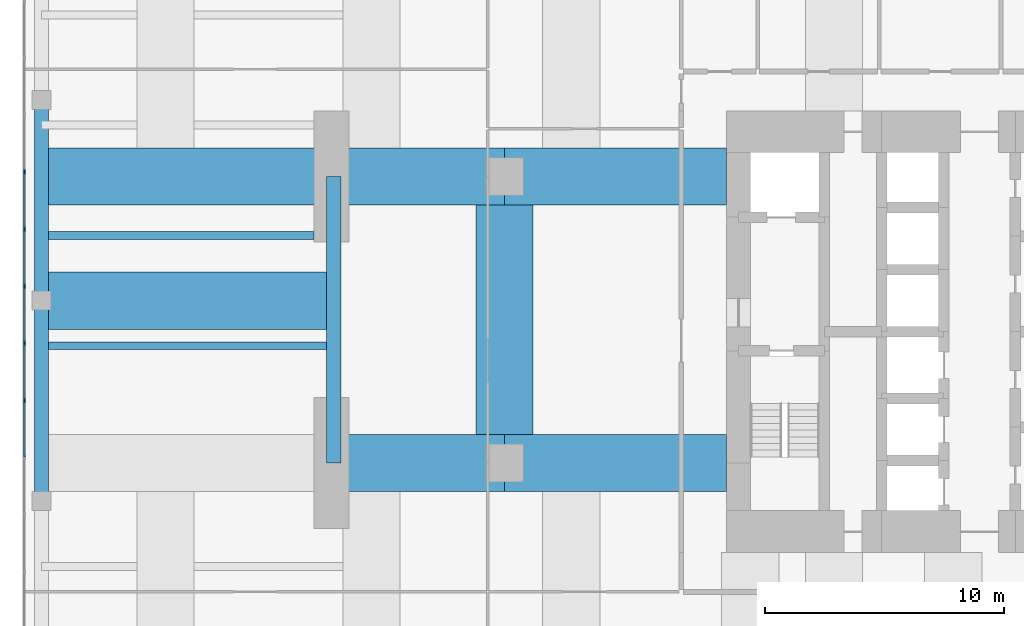
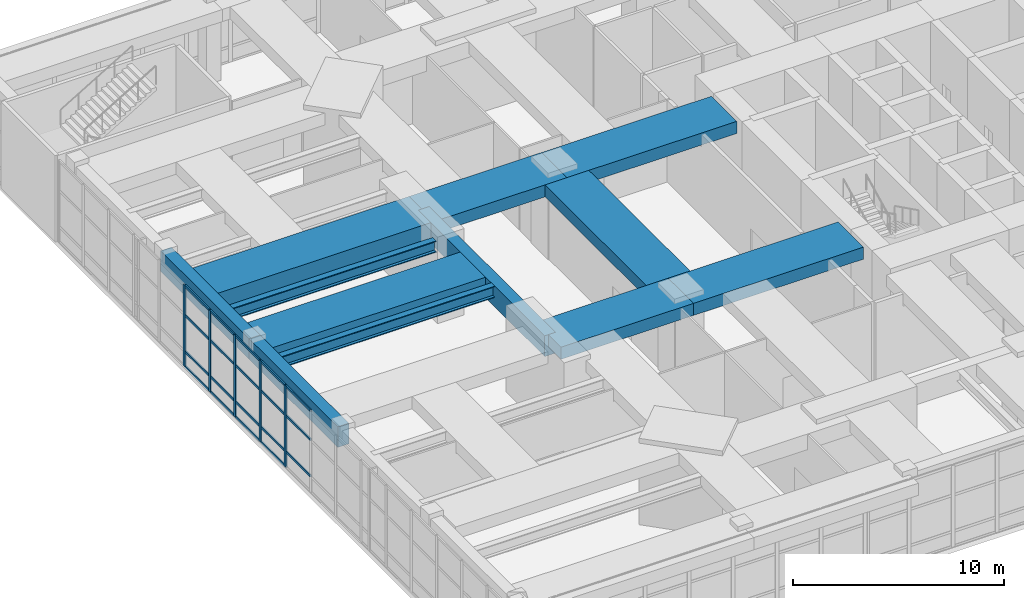
# One storey, part 4 of 24: 24 members, 12 beams, 1 element without a shape of its own.
"""IFC4 building model written with IfcOpenShell, lengths in metres."""

from ifc_helpers import new_model, si_unit, direction, frame, origin, origin_2d, place, context, subcontext, project, spatial, rectangle, i_section, extrude, material, material_profile, profile_set, type_object, element, aggregate, save


model = new_model("IFC4")

# Units and contexts
model_context = context("Model", 3, precision=1e-05, world=origin(), true_north=direction((0.0, 1.0)))
body_context = subcontext(model_context, "Body", "Model", "MODEL_VIEW")
ifc_project = project(units=[si_unit("LENGTHUNIT", "METRE"), si_unit("AREAUNIT", "SQUARE_METRE"), si_unit("VOLUMEUNIT", "CUBIC_METRE"), si_unit("PLANEANGLEUNIT", "RADIAN"), si_unit("MASSUNIT", "GRAM", prefix="KILO")], contexts=[model_context])

# Site, building, storey
site_placement = place(None, origin())
site = spatial("IfcSite", under=ifc_project, at=site_placement, CompositionType="ELEMENT")
building_placement = place(site_placement, origin())
building = spatial("IfcBuilding", under=site, at=building_placement, Name="Jalousie Tower", CompositionType="ELEMENT")
storey_placement = place(building_placement, frame((0.0, 0.0, 11.0)))
storey = spatial("IfcBuildingStorey", under=building, at=storey_placement, Name="L02", CompositionType="ELEMENT", Elevation=11.0)

# Beams
ifc_material_1 = material(Name="Steel ASTM A992 Grade 50", Category="steel")
ifc_material_profile_1 = material_profile(ifc_material_1, i_section(OverallWidth=0.332763671875, OverallDepth=0.660400390625, WebThickness=0.0244140625, FlangeThickness=0.0439453125, at=origin_2d()), Name="W24X229")
ifc_profile_set_1 = profile_set([ifc_material_profile_1], Name="Steel ASTM A992 Grade 50")
beam_type_1 = type_object("IfcBeamType", Name="PLANT FLOOR BEAM W24X229", PredefinedType="BEAM", material=ifc_profile_set_1)
beam_1_placement = place(storey_placement, frame((-8.89990234375, 17.9111328125, 4.389892578125), z_axis=(1.0, 0.0, 0.0), x_axis=(0.0, 1.0, 0.0)))
element("IfcBeam", 1, at=beam_1_placement, inside=storey, type_object=beam_type_1, Name="Plant floor beam under Mechanical plant room L03", PredefinedType="BEAM", context=body_context, shape_type="SweptSolid", body=[
    extrude(i_section(OverallWidth=0.332763671875, OverallDepth=0.660400390625, WebThickness=0.0244140625, FlangeThickness=0.0439453125, at=origin_2d()), origin(), (0.0, 0.0, 1.0), 11.64990234375),
])
beam_2_placement = place(storey_placement, frame((-8.89990234375, 22.533203125, 4.389892578125), z_axis=(1.0, 0.0, 0.0), x_axis=(0.0, 1.0, 0.0)))
element("IfcBeam", 2, at=beam_2_placement, inside=storey, type_object=beam_type_1, Name="Plant floor beam under Mechanical plant room L03", PredefinedType="BEAM", context=body_context, shape_type="SweptSolid", body=[
    extrude(i_section(OverallWidth=0.332763671875, OverallDepth=0.660400390625, WebThickness=0.0244140625, FlangeThickness=0.0439453125, at=origin_2d()), origin(), (0.0, 0.0, 1.0), 11.125),
])

# Curtain wall, members
ifc_material_2 = material(Name="Aluminium curtain wall", Category="aluminium")
curtain_wall_type = type_object("IfcCurtainWallType", Name="PODIUM WINDOW WALL", PredefinedType="USERDEFINED", material=ifc_material_2)
curtain_wall_placement = place(storey_placement, origin())
curtain_wall = element("IfcCurtainWall", 3, at=curtain_wall_placement, inside=storey, type_object=curtain_wall_type, Name="Podium Window Wall L02 33", ObjectType="PODIUM WINDOW WALL", PredefinedType="USERDEFINED")
ifc_material_3 = material(Name="Aluminium mullion", Category="aluminium")
ifc_material_profile_2 = material_profile(ifc_material_3, rectangle(XDim=0.070068359375, YDim=0.199951171875, at=origin_2d()), Name="MULLION 70x200")
ifc_profile_set_2 = profile_set([ifc_material_profile_2], Name="Aluminium mullion")
member_type_1 = type_object("IfcMemberType", Name="PODIUM WINDOW WALL MULLION", PredefinedType="MULLION", material=ifc_profile_set_2)
member_1_placement = place(storey_placement, frame((-9.91259765625, 25.188232421875, 0.0), z_axis=(0.0, 0.0, 1.0), x_axis=(1.0, 0.0, 0.0)))
member_1 = element("IfcMember", 4, at=member_1_placement, type_object=member_type_1, Name="CW-P mullion 6", PredefinedType="MULLION", context=body_context, shape_type="SweptSolid", body=[
    extrude(rectangle(XDim=0.070068359375, YDim=0.199951171875, at=origin_2d()), origin(), (0.0, 0.0, 1.0), 4.719970703125),
])
member_2_placement = place(storey_placement, frame((-9.91259765625, 22.7958984375, 0.0), z_axis=(0.0, 0.0, 1.0), x_axis=(1.0, 0.0, 0.0)))
member_2 = element("IfcMember", 5, at=member_2_placement, type_object=member_type_1, Name="CW-P mullion 7", PredefinedType="MULLION", context=body_context, shape_type="SweptSolid", body=[
    extrude(rectangle(XDim=0.070068359375, YDim=0.199951171875, at=origin_2d()), origin(), (0.0, 0.0, 1.0), 4.719970703125),
])
member_3_placement = place(storey_placement, frame((-9.91259765625, 20.403564453125, 0.0), z_axis=(0.0, 0.0, 1.0), x_axis=(1.0, 0.0, 0.0)))
member_3 = element("IfcMember", 6, at=member_3_placement, type_object=member_type_1, Name="CW-P mullion 8", PredefinedType="MULLION", context=body_context, shape_type="SweptSolid", body=[
    extrude(rectangle(XDim=0.070068359375, YDim=0.199951171875, at=origin_2d()), origin(), (0.0, 0.0, 1.0), 4.719970703125),
])
member_4_placement = place(storey_placement, frame((-9.91259765625, 18.01123046875, 0.0), z_axis=(0.0, 0.0, 1.0), x_axis=(1.0, 0.0, 0.0)))
member_4 = element("IfcMember", 7, at=member_4_placement, type_object=member_type_1, Name="CW-P mullion 9", PredefinedType="MULLION", context=body_context, shape_type="SweptSolid", body=[
    extrude(rectangle(XDim=0.070068359375, YDim=0.199951171875, at=origin_2d()), origin(), (0.0, 0.0, 1.0), 4.719970703125),
])
member_5_placement = place(storey_placement, frame((-9.91259765625, 15.61865234375, 0.0), z_axis=(0.0, 0.0, 1.0), x_axis=(1.0, 0.0, 0.0)))
member_5 = element("IfcMember", 8, at=member_5_placement, type_object=member_type_1, Name="CW-P mullion 10", PredefinedType="MULLION", context=body_context, shape_type="SweptSolid", body=[
    extrude(rectangle(XDim=0.070068359375, YDim=0.199951171875, at=origin_2d()), origin(), (0.0, 0.0, 1.0), 4.719970703125),
])
ifc_material_4 = material(Name="Aluminium transom", Category="aluminium")
ifc_material_profile_3 = material_profile(ifc_material_4, rectangle(XDim=0.070068359375, YDim=0.139892578125, at=origin_2d()), Name="TRANSOM 70x140")
ifc_profile_set_3 = profile_set([ifc_material_profile_3], Name="Aluminium transom")
member_type_2 = type_object("IfcMemberType", Name="PODIUM WINDOW WALL TRANSOM", PredefinedType="USERDEFINED", material=ifc_profile_set_3)
member_6_placement = place(storey_placement, frame((-9.91259765625, 25.153076171875, 0.034912109375), z_axis=(0.0, -1.0, 0.0), x_axis=(1.0, 0.0, 0.0)))
member_6 = element("IfcMember", 9, at=member_6_placement, type_object=member_type_2, Name="CW-P transom 6.1", ObjectType="TRANSOM", PredefinedType="USERDEFINED", context=body_context, shape_type="SweptSolid", body=[
    extrude(rectangle(XDim=0.070068359375, YDim=0.139892578125, at=origin_2d()), origin(), (0.0, 0.0, 1.0), 2.322265625),
])
member_7_placement = place(storey_placement, frame((-9.91259765625, 25.153076171875, 0.89990234375), z_axis=(0.0, -1.0, 0.0), x_axis=(1.0, 0.0, 0.0)))
member_7 = element("IfcMember", 10, at=member_7_placement, type_object=member_type_2, Name="CW-P transom 6.2", ObjectType="TRANSOM", PredefinedType="USERDEFINED", context=body_context, shape_type="SweptSolid", body=[
    extrude(rectangle(XDim=0.070068359375, YDim=0.139892578125, at=origin_2d()), origin(), (0.0, 0.0, 1.0), 2.322265625),
])
member_8_placement = place(storey_placement, frame((-9.91259765625, 25.153076171875, 3.0), z_axis=(0.0, -1.0, 0.0), x_axis=(1.0, 0.0, 0.0)))
member_8 = element("IfcMember", 11, at=member_8_placement, type_object=member_type_2, Name="CW-P transom 6.3", ObjectType="TRANSOM", PredefinedType="USERDEFINED", context=body_context, shape_type="SweptSolid", body=[
    extrude(rectangle(XDim=0.070068359375, YDim=0.139892578125, at=origin_2d()), origin(), (0.0, 0.0, 1.0), 2.322265625),
])
member_9_placement = place(storey_placement, frame((-9.91259765625, 25.153076171875, 4.68505859375), z_axis=(0.0, -1.0, 0.0), x_axis=(1.0, 0.0, 0.0)))
member_9 = element("IfcMember", 12, at=member_9_placement, type_object=member_type_2, Name="CW-P transom 6.4", ObjectType="TRANSOM", PredefinedType="USERDEFINED", context=body_context, shape_type="SweptSolid", body=[
    extrude(rectangle(XDim=0.070068359375, YDim=0.139892578125, at=origin_2d()), origin(), (0.0, 0.0, 1.0), 2.322265625),
])
member_10_placement = place(storey_placement, frame((-9.91259765625, 22.7607421875, 0.034912109375), z_axis=(0.0, -1.0, 0.0), x_axis=(1.0, 0.0, 0.0)))
member_10 = element("IfcMember", 13, at=member_10_placement, type_object=member_type_2, Name="CW-P transom 7.1", ObjectType="TRANSOM", PredefinedType="USERDEFINED", context=body_context, shape_type="SweptSolid", body=[
    extrude(rectangle(XDim=0.070068359375, YDim=0.139892578125, at=origin_2d()), origin(), (0.0, 0.0, 1.0), 2.322265625),
])
member_11_placement = place(storey_placement, frame((-9.91259765625, 22.7607421875, 0.89990234375), z_axis=(0.0, -1.0, 0.0), x_axis=(1.0, 0.0, 0.0)))
member_11 = element("IfcMember", 14, at=member_11_placement, type_object=member_type_2, Name="CW-P transom 7.2", ObjectType="TRANSOM", PredefinedType="USERDEFINED", context=body_context, shape_type="SweptSolid", body=[
    extrude(rectangle(XDim=0.070068359375, YDim=0.139892578125, at=origin_2d()), origin(), (0.0, 0.0, 1.0), 2.322265625),
])
member_12_placement = place(storey_placement, frame((-9.91259765625, 22.7607421875, 3.0), z_axis=(0.0, -1.0, 0.0), x_axis=(1.0, 0.0, 0.0)))
member_12 = element("IfcMember", 15, at=member_12_placement, type_object=member_type_2, Name="CW-P transom 7.3", ObjectType="TRANSOM", PredefinedType="USERDEFINED", context=body_context, shape_type="SweptSolid", body=[
    extrude(rectangle(XDim=0.070068359375, YDim=0.139892578125, at=origin_2d()), origin(), (0.0, 0.0, 1.0), 2.322265625),
])
member_13_placement = place(storey_placement, frame((-9.91259765625, 22.7607421875, 4.68505859375), z_axis=(0.0, -1.0, 0.0), x_axis=(1.0, 0.0, 0.0)))
member_13 = element("IfcMember", 16, at=member_13_placement, type_object=member_type_2, Name="CW-P transom 7.4", ObjectType="TRANSOM", PredefinedType="USERDEFINED", context=body_context, shape_type="SweptSolid", body=[
    extrude(rectangle(XDim=0.070068359375, YDim=0.139892578125, at=origin_2d()), origin(), (0.0, 0.0, 1.0), 2.322265625),
])
member_14_placement = place(storey_placement, frame((-9.91259765625, 20.368408203125, 0.034912109375), z_axis=(0.0, -1.0, 0.0), x_axis=(1.0, 0.0, 0.0)))
member_14 = element("IfcMember", 17, at=member_14_placement, type_object=member_type_2, Name="CW-P transom 8.1", ObjectType="TRANSOM", PredefinedType="USERDEFINED", context=body_context, shape_type="SweptSolid", body=[
    extrude(rectangle(XDim=0.070068359375, YDim=0.139892578125, at=origin_2d()), origin(), (0.0, 0.0, 1.0), 2.322265625),
])
member_15_placement = place(storey_placement, frame((-9.91259765625, 20.368408203125, 0.89990234375), z_axis=(0.0, -1.0, 0.0), x_axis=(1.0, 0.0, 0.0)))
member_15 = element("IfcMember", 18, at=member_15_placement, type_object=member_type_2, Name="CW-P transom 8.2", ObjectType="TRANSOM", PredefinedType="USERDEFINED", context=body_context, shape_type="SweptSolid", body=[
    extrude(rectangle(XDim=0.070068359375, YDim=0.139892578125, at=origin_2d()), origin(), (0.0, 0.0, 1.0), 2.322265625),
])
member_16_placement = place(storey_placement, frame((-9.91259765625, 20.368408203125, 3.0), z_axis=(0.0, -1.0, 0.0), x_axis=(1.0, 0.0, 0.0)))
member_16 = element("IfcMember", 19, at=member_16_placement, type_object=member_type_2, Name="CW-P transom 8.3", ObjectType="TRANSOM", PredefinedType="USERDEFINED", context=body_context, shape_type="SweptSolid", body=[
    extrude(rectangle(XDim=0.070068359375, YDim=0.139892578125, at=origin_2d()), origin(), (0.0, 0.0, 1.0), 2.322265625),
])
member_17_placement = place(storey_placement, frame((-9.91259765625, 20.368408203125, 4.68505859375), z_axis=(0.0, -1.0, 0.0), x_axis=(1.0, 0.0, 0.0)))
member_17 = element("IfcMember", 20, at=member_17_placement, type_object=member_type_2, Name="CW-P transom 8.4", ObjectType="TRANSOM", PredefinedType="USERDEFINED", context=body_context, shape_type="SweptSolid", body=[
    extrude(rectangle(XDim=0.070068359375, YDim=0.139892578125, at=origin_2d()), origin(), (0.0, 0.0, 1.0), 2.322265625),
])
member_18_placement = place(storey_placement, frame((-9.91259765625, 17.97607421875, 0.034912109375), z_axis=(0.0, -1.0, 0.0), x_axis=(1.0, 0.0, 0.0)))
member_18 = element("IfcMember", 21, at=member_18_placement, type_object=member_type_2, Name="CW-P transom 9.1", ObjectType="TRANSOM", PredefinedType="USERDEFINED", context=body_context, shape_type="SweptSolid", body=[
    extrude(rectangle(XDim=0.070068359375, YDim=0.139892578125, at=origin_2d()), origin(), (0.0, 0.0, 1.0), 2.322265625),
])
member_19_placement = place(storey_placement, frame((-9.91259765625, 17.97607421875, 0.89990234375), z_axis=(0.0, -1.0, 0.0), x_axis=(1.0, 0.0, 0.0)))
member_19 = element("IfcMember", 22, at=member_19_placement, type_object=member_type_2, Name="CW-P transom 9.2", ObjectType="TRANSOM", PredefinedType="USERDEFINED", context=body_context, shape_type="SweptSolid", body=[
    extrude(rectangle(XDim=0.070068359375, YDim=0.139892578125, at=origin_2d()), origin(), (0.0, 0.0, 1.0), 2.322265625),
])
member_20_placement = place(storey_placement, frame((-9.91259765625, 17.97607421875, 3.0), z_axis=(0.0, -1.0, 0.0), x_axis=(1.0, 0.0, 0.0)))
member_20 = element("IfcMember", 23, at=member_20_placement, type_object=member_type_2, Name="CW-P transom 9.3", ObjectType="TRANSOM", PredefinedType="USERDEFINED", context=body_context, shape_type="SweptSolid", body=[
    extrude(rectangle(XDim=0.070068359375, YDim=0.139892578125, at=origin_2d()), origin(), (0.0, 0.0, 1.0), 2.322265625),
])
member_21_placement = place(storey_placement, frame((-9.91259765625, 17.97607421875, 4.68505859375), z_axis=(0.0, -1.0, 0.0), x_axis=(1.0, 0.0, 0.0)))
member_21 = element("IfcMember", 24, at=member_21_placement, type_object=member_type_2, Name="CW-P transom 9.4", ObjectType="TRANSOM", PredefinedType="USERDEFINED", context=body_context, shape_type="SweptSolid", body=[
    extrude(rectangle(XDim=0.070068359375, YDim=0.139892578125, at=origin_2d()), origin(), (0.0, 0.0, 1.0), 2.322265625),
])
member_22_placement = place(storey_placement, frame((-9.91259765625, 15.583740234375, 0.89990234375), z_axis=(0.0, -1.0, 0.0), x_axis=(1.0, 0.0, 0.0)))
member_22 = element("IfcMember", 25, at=member_22_placement, type_object=member_type_2, Name="CW-P transom 10.2", ObjectType="TRANSOM", PredefinedType="USERDEFINED", context=body_context, shape_type="SweptSolid", body=[
    extrude(rectangle(XDim=0.070068359375, YDim=0.139892578125, at=origin_2d()), origin(), (0.0, 0.0, 1.0), 2.322265625),
])
member_23_placement = place(storey_placement, frame((-9.91259765625, 15.583740234375, 3.0), z_axis=(0.0, -1.0, 0.0), x_axis=(1.0, 0.0, 0.0)))
member_23 = element("IfcMember", 26, at=member_23_placement, type_object=member_type_2, Name="CW-P transom 10.3", ObjectType="TRANSOM", PredefinedType="USERDEFINED", context=body_context, shape_type="SweptSolid", body=[
    extrude(rectangle(XDim=0.070068359375, YDim=0.139892578125, at=origin_2d()), origin(), (0.0, 0.0, 1.0), 2.322265625),
])
member_24_placement = place(storey_placement, frame((-9.91259765625, 15.583740234375, 4.68505859375), z_axis=(0.0, -1.0, 0.0), x_axis=(1.0, 0.0, 0.0)))
member_24 = element("IfcMember", 27, at=member_24_placement, type_object=member_type_2, Name="CW-P transom 10.4", ObjectType="TRANSOM", PredefinedType="USERDEFINED", context=body_context, shape_type="SweptSolid", body=[
    extrude(rectangle(XDim=0.070068359375, YDim=0.139892578125, at=origin_2d()), origin(), (0.0, 0.0, 1.0), 2.322265625),
])
aggregate(curtain_wall, [member_1, member_2, member_3, member_4, member_5, member_6, member_7, member_8, member_9, member_10, member_11, member_12, member_13, member_14, member_15, member_16, member_17, member_18, member_19, member_20, member_21, member_22, member_23, member_24])

# Beams
ifc_material_5 = material(Name="Concrete f'c 40 MPa", Category="concrete")
ifc_material_profile_4 = material_profile(ifc_material_5, rectangle(XDim=2.39990234375, YDim=0.699951171875, at=origin_2d()), Name="RC 2400x700")
ifc_profile_set_4 = profile_set([ifc_material_profile_4], Name="Concrete f'c 40 MPa")
beam_type_2 = type_object("IfcBeamType", Name="RC BEAM 2400x700", PredefinedType="BEAM", material=ifc_profile_set_4)
for number, where, z_axis, x_axis, name in (
    (28, (2.949951171875, 13.0, 4.3701171875), (1.0, 0.0, 0.0), (0.0, 1.0, 0.0), "Floor band beam under L03"),
    (29, (2.949951171875, 25.0, 4.3701171875), (1.0, 0.0, 0.0), (0.0, 1.0, 0.0), "Floor band beam under L03"),
):
    element("IfcBeam", number, at=place(storey_placement, frame(where, z_axis=z_axis, x_axis=x_axis)), inside=storey, type_object=beam_type_2, Name=name, PredefinedType="BEAM", context=body_context, shape_type="SweptSolid", body=[
        extrude(rectangle(XDim=2.39990234375, YDim=0.699951171875, at=origin_2d()), origin(), (0.0, 0.0, 1.0), 7.25),
    ])
beam_3_placement = place(storey_placement, frame((10.199951171875, 13.0, 4.3701171875), z_axis=(1.0, 0.0, 0.0), x_axis=(0.0, 1.0, 0.0)))
element("IfcBeam", 30, at=beam_3_placement, inside=storey, type_object=beam_type_2, Name="Floor band beam under L03", PredefinedType="BEAM", context=body_context, shape_type="SweptSolid", body=[
    extrude(rectangle(XDim=2.39990234375, YDim=0.699951171875, at=origin_2d()), origin(), (0.0, 0.0, 1.0), 9.300048828125),
])
beam_4_placement = place(storey_placement, frame((10.199951171875, 13.0, 4.3701171875), z_axis=(0.0, 1.0, 0.0), x_axis=(-1.0, 0.0, 0.0)))
element("IfcBeam", 31, at=beam_4_placement, inside=storey, type_object=beam_type_2, Name="Floor band beam under L03", PredefinedType="BEAM", context=body_context, shape_type="SweptSolid", body=[
    extrude(rectangle(XDim=2.39990234375, YDim=0.699951171875, at=origin_2d()), origin(), (0.0, 0.0, 1.0), 12.0),
])
beam_5_placement = place(storey_placement, frame((10.199951171875, 25.0, 4.3701171875), z_axis=(1.0, 0.0, 0.0), x_axis=(0.0, 1.0, 0.0)))
element("IfcBeam", 32, at=beam_5_placement, inside=storey, type_object=beam_type_2, Name="Floor band beam under L03", PredefinedType="BEAM", context=body_context, shape_type="SweptSolid", body=[
    extrude(rectangle(XDim=2.39990234375, YDim=0.699951171875, at=origin_2d()), origin(), (0.0, 0.0, 1.0), 9.300048828125),
])
beam_6_placement = place(storey_placement, frame((-9.199951171875, 19.800048828125, 4.3701171875), z_axis=(1.0, 0.0, 0.0), x_axis=(0.0, 1.0, 0.0)))
element("IfcBeam", 33, at=beam_6_placement, inside=storey, type_object=beam_type_2, Name="Floor band beam under L03", PredefinedType="BEAM", context=body_context, shape_type="SweptSolid", body=[
    extrude(rectangle(XDim=2.39990234375, YDim=0.699951171875, at=origin_2d()), origin(), (0.0, 0.0, 1.0), 12.14990234375),
])
ifc_material_6 = material(Name="Concrete f'c 40 MPa", Category="concrete")
ifc_material_profile_5 = material_profile(ifc_material_6, rectangle(XDim=2.39990234375, YDim=0.89990234375, at=origin_2d()), Name="RC 2400x900")
ifc_profile_set_5 = profile_set([ifc_material_profile_5], Name="Concrete f'c 40 MPa")
beam_type_3 = type_object("IfcBeamType", Name="RC BEAM 2400x900", PredefinedType="BEAM", material=ifc_profile_set_5)
beam_7_placement = place(storey_placement, frame((2.949951171875, 25.0, 4.27001953125), z_axis=(-1.0, 0.0, 0.0), x_axis=(0.0, -1.0, 0.0)))
element("IfcBeam", 34, at=beam_7_placement, inside=storey, type_object=beam_type_3, Name="Floor band beam under L03", PredefinedType="BEAM", context=body_context, shape_type="SweptSolid", body=[
    extrude(rectangle(XDim=2.39990234375, YDim=0.89990234375, at=origin_2d()), origin(), (0.0, 0.0, 1.0), 12.14990234375),
])
ifc_material_7 = material(Name="Concrete f'c 40 MPa", Category="concrete")
ifc_material_profile_6 = material_profile(ifc_material_7, rectangle(XDim=0.60009765625, YDim=1.199951171875, at=origin_2d()), Name="RC 600x1200")
ifc_profile_set_6 = profile_set([ifc_material_profile_6], Name="Concrete f'c 40 MPa")
beam_type_4 = type_object("IfcBeamType", Name="RC BEAM 600x1200", PredefinedType="BEAM", material=ifc_profile_set_6)
beam_8_placement = place(storey_placement, frame((-9.199951171875, 11.39990234375, 4.1201171875), z_axis=(0.0, 1.0, 0.0), x_axis=(-1.0, 0.0, 0.0)))
element("IfcBeam", 35, at=beam_8_placement, inside=storey, type_object=beam_type_4, Name="Podium plant girder under L03 line x -9.2", PredefinedType="BEAM", context=body_context, shape_type="SweptSolid", body=[
    extrude(rectangle(XDim=0.60009765625, YDim=1.199951171875, at=origin_2d()), origin(), (0.0, 0.0, 1.0), 8.400146484375),
])
beam_9_placement = place(storey_placement, frame((-9.199951171875, 19.800048828125, 4.1201171875), z_axis=(0.0, 1.0, 0.0), x_axis=(-1.0, 0.0, 0.0)))
element("IfcBeam", 36, at=beam_9_placement, inside=storey, type_object=beam_type_4, Name="Podium plant girder under L03 line x -9.2", PredefinedType="BEAM", context=body_context, shape_type="SweptSolid", body=[
    extrude(rectangle(XDim=0.60009765625, YDim=1.199951171875, at=origin_2d()), origin(), (0.0, 0.0, 1.0), 8.39990234375),
])
beam_10_placement = place(storey_placement, frame((3.050048828125, 13.0, 4.1201171875), z_axis=(0.0, 1.0, 0.0), x_axis=(-1.0, 0.0, 0.0)))
element("IfcBeam", 37, at=beam_10_placement, inside=storey, type_object=beam_type_4, Name="Podium plant girder under L03 line x 3.05", PredefinedType="BEAM", context=body_context, shape_type="SweptSolid", body=[
    extrude(rectangle(XDim=0.60009765625, YDim=1.199951171875, at=origin_2d()), origin(), (0.0, 0.0, 1.0), 12.0),
])

save(model, "model.ifc")
